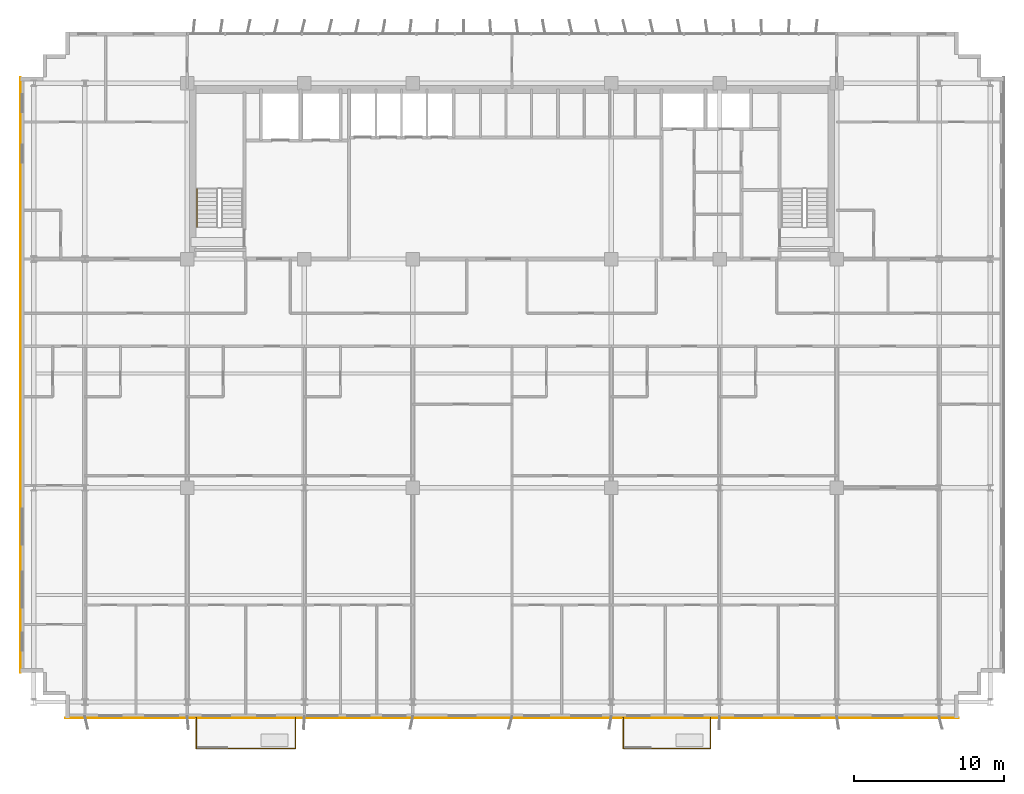
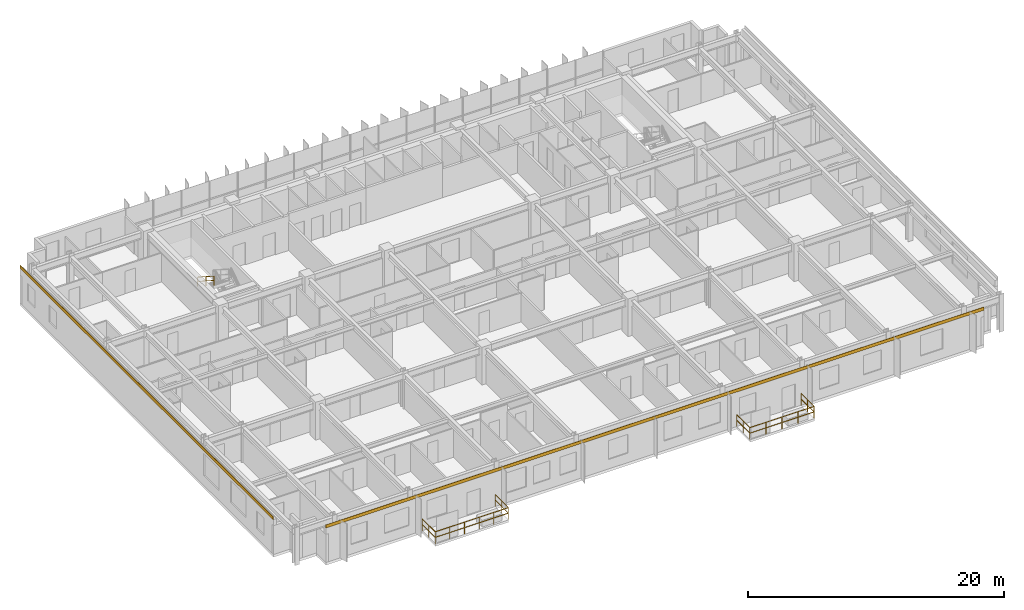
# One storey, part 22 of 24: 7 railings, 2 coverings.
"""IFC4 building model written with IfcOpenShell, lengths in metres."""

import ifcopenshell
import ifcopenshell.guid

model = None  # the IFC model being written
_history = None  # IfcOwnerHistory: only IFC2X3 demands one
_inside = {}  # id of a spatial element -> (the spatial element, [elements in it])
_under = {}  # id of a project, library or spatial element -> (it, [spatial elements below it])
_declared = {}  # id of a project -> (the project, [libraries it declares])
_typed = {}  # id of a type object -> (the type object, [elements of that type])
_made_of = {}  # id of a material, layer set ... -> (it, [elements and type objects made of it])


def new_model(schema):
    """Start an empty IFC model of exactly this schema.

    Asked for "IFC4X3", IfcOpenShell would pick the latest addendum, in which some entities
    have other attributes; the version numbers below select the first issue.
    IFC2X3 requires an IfcOwnerHistory on every rooted entity: one is made here for all.
    """
    global model, _history
    if schema == "IFC4X3":
        model = ifcopenshell.file(schema_version=(4, 3, 0, 0))
    else:
        model = ifcopenshell.file(schema=schema)
    _inside.clear()
    _under.clear()
    _declared.clear()
    _typed.clear()
    _made_of.clear()
    _history = None
    if model.schema == "IFC2X3":
        org = make("IfcOrganization", Name="unknown")
        user = make(
            "IfcPersonAndOrganization",
            ThePerson=make("IfcPerson", FamilyName="unknown"),
            TheOrganization=org,
        )
        app = make(
            "IfcApplication",
            ApplicationDeveloper=org,
            Version="unknown",
            ApplicationFullName="unknown",
            ApplicationIdentifier="unknown",
        )
        _history = make(
            "IfcOwnerHistory",
            OwningUser=user,
            OwningApplication=app,
            ChangeAction="ADDED",
            CreationDate=0,
        )
    return model


def make(cls, **values):
    """One entity of the class cls with the attributes given. An attribute that is None is left unset."""
    return model.create_entity(
        cls, **{name: value for name, value in values.items() if value is not None}
    )


def rooted(cls, **values):
    """An entity with a GlobalId (a new one), such as an element, a storey or a relation."""
    return make(cls, GlobalId=ifcopenshell.guid.new(), OwnerHistory=_history, **values)


def si_unit(unit_type, name, prefix=None):
    """IfcSIUnit, for example si_unit("LENGTHUNIT", "METRE", prefix="MILLI")."""
    return make("IfcSIUnit", UnitType=unit_type, Prefix=prefix, Name=name)


def assignment(units):
    """IfcUnitAssignment: the units of a project."""
    return None if units is None else make("IfcUnitAssignment", Units=units)


def point(xyz):
    """IfcCartesianPoint."""
    return None if xyz is None else make("IfcCartesianPoint", Coordinates=xyz)


def direction(xyz):
    """IfcDirection."""
    return None if xyz is None else make("IfcDirection", DirectionRatios=xyz)


def frame(location, z_axis=None, x_axis=None):
    """IfcAxis2Placement3D, a coordinate frame: its origin and axes. An axis left out is left unset."""
    return make(
        "IfcAxis2Placement3D",
        Location=point(location),
        Axis=direction(z_axis),
        RefDirection=direction(x_axis),
    )


def frame_2d(location, x_axis=None):
    """IfcAxis2Placement2D, a coordinate frame in the plane: its origin and x axis."""
    return make(
        "IfcAxis2Placement2D", Location=point(location), RefDirection=direction(x_axis)
    )


def origin():
    """The frame at (0, 0, 0) with its axes left unset."""
    return frame((0.0, 0.0, 0.0))


def origin_2d():
    """The frame at (0, 0) in the plane with its x axis left unset."""
    return frame_2d((0.0, 0.0))


def place(relative_to, where):
    """IfcLocalPlacement: puts the frame where relative to a parent placement (None: the world)."""
    return make(
        "IfcLocalPlacement", PlacementRelTo=relative_to, RelativePlacement=where
    )


def context(
    kind, dimensions, precision=None, world=None, true_north=None, identifier=None
):
    """IfcGeometricRepresentationContext, for example the 3D "Model" context."""
    return make(
        "IfcGeometricRepresentationContext",
        ContextIdentifier=identifier,
        ContextType=kind,
        CoordinateSpaceDimension=dimensions,
        Precision=precision,
        WorldCoordinateSystem=world,
        TrueNorth=true_north,
    )


def subcontext(parent, identifier, kind, view, scale=None):
    """IfcGeometricRepresentationSubContext, for example "Body" below "Model"."""
    return make(
        "IfcGeometricRepresentationSubContext",
        ContextIdentifier=identifier,
        ContextType=kind,
        ParentContext=parent,
        TargetScale=scale,
        TargetView=view,
    )


def project(units=None, contexts=None):
    """IfcProject with its units and contexts."""
    return rooted(
        "IfcProject",
        Name="project",
        RepresentationContexts=contexts,
        UnitsInContext=assignment(units),
    )


def spatial(cls, under=None, at=None, **own):
    """A site, building, storey or space (cls), placed at a placement, below another one or the project."""
    s = rooted(cls, ObjectPlacement=at, **own)
    if under is not None:
        _under.setdefault(under.id(), (under, []))[1].append(s)
    return s


def profile(cls, at=None, kind="AREA", **sizes):
    """A parametric profile (cls). Its sizes go by their IFC names, for example OverallWidth=200.0."""
    return make(cls, ProfileType=kind, Position=at, **sizes)


def rectangle(**sizes):
    """IfcRectangleProfileDef."""
    return profile("IfcRectangleProfileDef", **sizes)


def extrude(swept, where, along, depth):
    """IfcExtrudedAreaSolid: the profile swept, set in the frame where, extruded along a direction by depth."""
    return make(
        "IfcExtrudedAreaSolid",
        SweptArea=swept,
        Position=where,
        ExtrudedDirection=direction(along),
        Depth=depth,
    )


def shape(context_of_items, identifier, shape_type, items):
    """IfcShapeRepresentation: the items that make up one representation, for example the "Body"."""
    return make(
        "IfcShapeRepresentation",
        ContextOfItems=context_of_items,
        RepresentationIdentifier=identifier,
        RepresentationType=shape_type,
        Items=items,
    )


def source(mapping_origin, context_of_items, identifier, shape_type, items):
    """IfcRepresentationMap: a shape defined once, which mapped items show again and again."""
    return make(
        "IfcRepresentationMap",
        MappingOrigin=mapping_origin,
        MappedRepresentation=shape(context_of_items, identifier, shape_type, items),
    )


def transform(
    local_origin,
    x_axis=None,
    y_axis=None,
    z_axis=None,
    scale=None,
    scale2=None,
    scale3=None,
    uniform=True,
):
    """IfcCartesianTransformationOperator3D, or its non-uniform kind. x_axis, y_axis, z_axis: its Axis1, 2, 3."""
    if uniform:
        return make(
            "IfcCartesianTransformationOperator3D",
            Axis1=direction(x_axis),
            Axis2=direction(y_axis),
            LocalOrigin=point(local_origin),
            Scale=scale,
            Axis3=direction(z_axis),
        )
    return make(
        "IfcCartesianTransformationOperator3DnonUniform",
        Axis1=direction(x_axis),
        Axis2=direction(y_axis),
        LocalOrigin=point(local_origin),
        Scale=scale,
        Axis3=direction(z_axis),
        Scale2=scale2,
        Scale3=scale3,
    )


def mapped(mapping_source, mapping_target):
    """IfcMappedItem: shows the shape of a source again, moved by a transform."""
    return make(
        "IfcMappedItem", MappingSource=mapping_source, MappingTarget=mapping_target
    )


def material(Name=None, Category=None):
    """IfcMaterial."""
    return make("IfcMaterial", Name=Name, Category=Category)


def layer(
    of_material, thickness, ventilated=None, Name=None, Category=None, Priority=None
):
    """IfcMaterialLayer: one layer of a wall or slab, of a material (None: an air gap)."""
    return make(
        "IfcMaterialLayer",
        Material=of_material,
        LayerThickness=thickness,
        IsVentilated=ventilated,
        Name=Name,
        Category=Category,
        Priority=Priority,
    )


def layer_set(layers, Name=None):
    """IfcMaterialLayerSet."""
    return make("IfcMaterialLayerSet", MaterialLayers=layers, LayerSetName=Name)


def made_of(thing, what):
    """Note that an element or type object is made of a material, layer set ...; save() writes the relation."""
    if what is not None:
        _made_of.setdefault(what.id(), (what, []))[1].append(thing)
    return thing


def type_object(cls, material=None, **own):
    """A type object (cls), such as IfcWallType, which elements share."""
    return made_of(rooted(cls, **own), material)


def element(
    cls,
    number,
    at=None,
    inside=None,
    cuts=None,
    type_object=None,
    material=None,
    context=None,
    identifier="Body",
    shape_type=None,
    held_by="IfcProductDefinitionShape",
    body=None,
    shapes=None,
    **own,
):
    """One element of the class cls, such as IfcWall. Its Tag is "e" and its number.

    at: its placement. inside: the storey or other place that contains it. cuts: it is an
    opening in that element (IfcRelVoidsElement). A single representation is given by context,
    identifier, shape_type and body (its items); several are given by shapes. held_by: the class
    of the entity that holds the representations. save() writes the other relations.
    """
    e = rooted(cls, Tag="e%d" % number, ObjectPlacement=at, **own)
    if body is not None:
        shapes = [shape(context, identifier, shape_type, body)]
    if shapes is not None:
        e.Representation = make(held_by, Representations=shapes)
    if inside is not None:
        _inside.setdefault(inside.id(), (inside, []))[1].append(e)
    if cuts is not None:
        rooted(
            "IfcRelVoidsElement", RelatingBuildingElement=cuts, RelatedOpeningElement=e
        )
    if type_object is not None:
        _typed.setdefault(type_object.id(), (type_object, []))[1].append(e)
    return made_of(e, material)


def aggregate(whole, parts):
    """IfcRelAggregates: a whole, such as a stair, and the parts it consists of."""
    return rooted("IfcRelAggregates", RelatingObject=whole, RelatedObjects=parts)


def save(model, path):
    """Write the relations noted so far, then the file.

    IfcRelAggregates (storeys below a building ...), IfcRelContainedInSpatialStructure (elements
    in a storey), IfcRelDefinesByType, IfcRelAssociatesMaterial and IfcRelDeclares: one each for
    every whole, place, type object, material and project.
    """
    for whole, parts in _under.values():
        aggregate(whole, parts)
    for where, things in _inside.values():
        rooted(
            "IfcRelContainedInSpatialStructure",
            RelatedElements=things,
            RelatingStructure=where,
        )
    for kind, things in _typed.values():
        rooted("IfcRelDefinesByType", RelatedObjects=things, RelatingType=kind)
    for what, things in _made_of.values():
        rooted("IfcRelAssociatesMaterial", RelatedObjects=things, RelatingMaterial=what)
    for by, libraries in _declared.values():
        rooted("IfcRelDeclares", RelatingContext=by, RelatedDefinitions=libraries)
    model.write(path)


model = new_model("IFC4")

# Units and contexts
model_context = context("Model", 3, precision=1e-05, world=origin(), true_north=direction((0.0, 1.0)))
body_context = subcontext(model_context, "Body", "Model", "MODEL_VIEW")
ifc_project = project(units=[si_unit("LENGTHUNIT", "METRE"), si_unit("AREAUNIT", "SQUARE_METRE"), si_unit("VOLUMEUNIT", "CUBIC_METRE"), si_unit("PLANEANGLEUNIT", "RADIAN"), si_unit("MASSUNIT", "GRAM", prefix="KILO")], contexts=[model_context])

# Site, building, storey
site_placement = place(None, origin())
site = spatial("IfcSite", under=ifc_project, at=site_placement, CompositionType="ELEMENT")
building_placement = place(site_placement, origin())
building = spatial("IfcBuilding", under=site, at=building_placement, Name="Trelvane Seafront Commons", CompositionType="ELEMENT")
storey_placement = place(building_placement, frame((0.0, 0.0, 30.699951171875)))
storey = spatial("IfcBuildingStorey", under=building, at=storey_placement, Name="L07", CompositionType="ELEMENT", Elevation=30.699951171875)

# Railings
ifc_material_1 = material(Name="Stainless steel balustrade", Category="steel")
railing_type_1 = type_object("IfcRailingType", Name="ARCH-RAIL-BAL1150", PredefinedType="BALUSTRADE", material=ifc_material_1)
railing_1_placement = place(storey_placement, frame((16.199951171875, 2.89990234375, 0.0)))
element("IfcRailing", 1, at=railing_1_placement, inside=storey, type_object=railing_type_1, Name="RL-L07-BAL0-01", PredefinedType="BALUSTRADE", context=body_context, shape_type="SweptSolid", body=[
    extrude(rectangle(XDim=0.048095703125, YDim=0.048095703125, at=origin_2d()), frame((0.0, 0.0, 1.1259765625), z_axis=(0.0, -1.0, 0.0), x_axis=(1.0, 0.0, 0.0)), (0.0, 0.0, 1.0), 2.039794921875),
    extrude(rectangle(XDim=0.048095703125, YDim=0.048095703125, at=origin_2d()), frame((0.0, 0.0, 0.597900390625), z_axis=(0.0, -1.0, 0.0), x_axis=(1.0, 0.0, 0.0)), (0.0, 0.0, 1.0), 2.039794921875),
    extrude(rectangle(XDim=0.0419921875, YDim=0.0419921875, at=origin_2d()), origin(), (0.0, 0.0, 1.0), 1.1259765625),
    extrude(rectangle(XDim=0.0419921875, YDim=0.0419921875, at=origin_2d()), frame((0.0, -1.02001953125, 0.0)), (0.0, 0.0, 1.0), 1.1259765625),
    extrude(rectangle(XDim=0.0419921875, YDim=0.0419921875, at=origin_2d()), frame((0.0, -2.039794921875, 0.0)), (0.0, 0.0, 1.0), 1.1259765625),
])
railing_2_placement = place(storey_placement, frame((16.199951171875, 0.860107421875, 0.0)))
element("IfcRailing", 2, at=railing_2_placement, inside=storey, type_object=railing_type_1, Name="RL-L07-BAL0-02", PredefinedType="BALUSTRADE", context=body_context, shape_type="SweptSolid", body=[
    extrude(rectangle(XDim=0.048095703125, YDim=0.048095703125, at=origin_2d()), frame((0.0, 0.0, 1.1259765625), z_axis=(1.0, 0.0, 0.0), x_axis=(0.0, 1.0, 0.0)), (0.0, 0.0, 1.0), 6.60009765625),
    extrude(rectangle(XDim=0.048095703125, YDim=0.048095703125, at=origin_2d()), frame((0.0, 0.0, 0.597900390625), z_axis=(1.0, 0.0, 0.0), x_axis=(0.0, 1.0, 0.0)), (0.0, 0.0, 1.0), 6.60009765625),
    extrude(rectangle(XDim=0.0419921875, YDim=0.0419921875, at=origin_2d()), origin(), (0.0, 0.0, 1.0), 1.1259765625),
    extrude(rectangle(XDim=0.0419921875, YDim=0.0419921875, at=origin_2d()), frame((1.320068359375, 0.0, 0.0)), (0.0, 0.0, 1.0), 1.1259765625),
    extrude(rectangle(XDim=0.0419921875, YDim=0.0419921875, at=origin_2d()), frame((2.64013671875, 0.0, 0.0)), (0.0, 0.0, 1.0), 1.1259765625),
    extrude(rectangle(XDim=0.0419921875, YDim=0.0419921875, at=origin_2d()), frame((3.9599609375, 0.0, 0.0)), (0.0, 0.0, 1.0), 1.1259765625),
    extrude(rectangle(XDim=0.0419921875, YDim=0.0419921875, at=origin_2d()), frame((5.280029296875, 0.0, 0.0)), (0.0, 0.0, 1.0), 1.1259765625),
    extrude(rectangle(XDim=0.0419921875, YDim=0.0419921875, at=origin_2d()), frame((6.60009765625, 0.0, 0.0)), (0.0, 0.0, 1.0), 1.1259765625),
])
railing_3_placement = place(storey_placement, frame((22.800048828125, 0.860107421875, 0.0)))
element("IfcRailing", 3, at=railing_3_placement, inside=storey, type_object=railing_type_1, Name="RL-L07-BAL0-03", PredefinedType="BALUSTRADE", context=body_context, shape_type="SweptSolid", body=[
    extrude(rectangle(XDim=0.048095703125, YDim=0.048095703125, at=origin_2d()), frame((0.0, 0.0, 1.1259765625), z_axis=(0.0, 1.0, 0.0), x_axis=(-1.0, 0.0, 0.0)), (0.0, 0.0, 1.0), 2.039794921875),
    extrude(rectangle(XDim=0.048095703125, YDim=0.048095703125, at=origin_2d()), frame((0.0, 0.0, 0.597900390625), z_axis=(0.0, 1.0, 0.0), x_axis=(-1.0, 0.0, 0.0)), (0.0, 0.0, 1.0), 2.039794921875),
    extrude(rectangle(XDim=0.0419921875, YDim=0.0419921875, at=origin_2d()), origin(), (0.0, 0.0, 1.0), 1.1259765625),
    extrude(rectangle(XDim=0.0419921875, YDim=0.0419921875, at=origin_2d()), frame((0.0, 1.02001953125, 0.0)), (0.0, 0.0, 1.0), 1.1259765625),
    extrude(rectangle(XDim=0.0419921875, YDim=0.0419921875, at=origin_2d()), frame((0.0, 2.039794921875, 0.0)), (0.0, 0.0, 1.0), 1.1259765625),
])
railing_4_placement = place(storey_placement, frame((44.60009765625, 2.89990234375, 0.0)))
element("IfcRailing", 4, at=railing_4_placement, inside=storey, type_object=railing_type_1, Name="RL-L07-BAL1-01", PredefinedType="BALUSTRADE", context=body_context, shape_type="SweptSolid", body=[
    extrude(rectangle(XDim=0.048095703125, YDim=0.048095703125, at=origin_2d()), frame((0.0, 0.0, 1.1259765625), z_axis=(0.0, -1.0, 0.0), x_axis=(1.0, 0.0, 0.0)), (0.0, 0.0, 1.0), 2.039794921875),
    extrude(rectangle(XDim=0.048095703125, YDim=0.048095703125, at=origin_2d()), frame((0.0, 0.0, 0.597900390625), z_axis=(0.0, -1.0, 0.0), x_axis=(1.0, 0.0, 0.0)), (0.0, 0.0, 1.0), 2.039794921875),
    extrude(rectangle(XDim=0.0419921875, YDim=0.0419921875, at=origin_2d()), origin(), (0.0, 0.0, 1.0), 1.1259765625),
    extrude(rectangle(XDim=0.0419921875, YDim=0.0419921875, at=origin_2d()), frame((0.0, -1.02001953125, 0.0)), (0.0, 0.0, 1.0), 1.1259765625),
    extrude(rectangle(XDim=0.0419921875, YDim=0.0419921875, at=origin_2d()), frame((0.0, -2.039794921875, 0.0)), (0.0, 0.0, 1.0), 1.1259765625),
])
railing_5_placement = place(storey_placement, frame((44.60009765625, 0.860107421875, 0.0)))
element("IfcRailing", 5, at=railing_5_placement, inside=storey, type_object=railing_type_1, Name="RL-L07-BAL1-02", PredefinedType="BALUSTRADE", context=body_context, shape_type="SweptSolid", body=[
    extrude(rectangle(XDim=0.048095703125, YDim=0.048095703125, at=origin_2d()), frame((0.0, 0.0, 1.1259765625), z_axis=(1.0, 0.0, 0.0), x_axis=(0.0, 1.0, 0.0)), (0.0, 0.0, 1.0), 5.7998046875),
    extrude(rectangle(XDim=0.048095703125, YDim=0.048095703125, at=origin_2d()), frame((0.0, 0.0, 0.597900390625), z_axis=(1.0, 0.0, 0.0), x_axis=(0.0, 1.0, 0.0)), (0.0, 0.0, 1.0), 5.7998046875),
    extrude(rectangle(XDim=0.0419921875, YDim=0.0419921875, at=origin_2d()), origin(), (0.0, 0.0, 1.0), 1.1259765625),
    extrude(rectangle(XDim=0.0419921875, YDim=0.0419921875, at=origin_2d()), frame((1.449951171875, 0.0, 0.0)), (0.0, 0.0, 1.0), 1.1259765625),
    extrude(rectangle(XDim=0.0419921875, YDim=0.0419921875, at=origin_2d()), frame((2.89990234375, 0.0, 0.0)), (0.0, 0.0, 1.0), 1.1259765625),
    extrude(rectangle(XDim=0.0419921875, YDim=0.0419921875, at=origin_2d()), frame((4.349853515625, 0.0, 0.0)), (0.0, 0.0, 1.0), 1.1259765625),
    extrude(rectangle(XDim=0.0419921875, YDim=0.0419921875, at=origin_2d()), frame((5.7998046875, 0.0, 0.0)), (0.0, 0.0, 1.0), 1.1259765625),
])
railing_6_placement = place(storey_placement, frame((50.39990234375, 0.860107421875, 0.0)))
element("IfcRailing", 6, at=railing_6_placement, inside=storey, type_object=railing_type_1, Name="RL-L07-BAL1-03", PredefinedType="BALUSTRADE", context=body_context, shape_type="SweptSolid", body=[
    extrude(rectangle(XDim=0.048095703125, YDim=0.048095703125, at=origin_2d()), frame((0.0, 0.0, 1.1259765625), z_axis=(0.0, 1.0, 0.0), x_axis=(-1.0, 0.0, 0.0)), (0.0, 0.0, 1.0), 2.039794921875),
    extrude(rectangle(XDim=0.048095703125, YDim=0.048095703125, at=origin_2d()), frame((0.0, 0.0, 0.597900390625), z_axis=(0.0, 1.0, 0.0), x_axis=(-1.0, 0.0, 0.0)), (0.0, 0.0, 1.0), 2.039794921875),
    extrude(rectangle(XDim=0.0419921875, YDim=0.0419921875, at=origin_2d()), origin(), (0.0, 0.0, 1.0), 1.1259765625),
    extrude(rectangle(XDim=0.0419921875, YDim=0.0419921875, at=origin_2d()), frame((0.0, 1.02001953125, 0.0)), (0.0, 0.0, 1.0), 1.1259765625),
    extrude(rectangle(XDim=0.0419921875, YDim=0.0419921875, at=origin_2d()), frame((0.0, 2.039794921875, 0.0)), (0.0, 0.0, 1.0), 1.1259765625),
])
railing_type_2 = type_object("IfcRailingType", Name="ARCH-SRL-HAND", PredefinedType="HANDRAIL", material=ifc_material_1)
railing_7_placement = place(storey_placement, frame((16.25, 38.070068359375, 1.97998046875)))
element("IfcRailing", 7, at=railing_7_placement, inside=storey, type_object=railing_type_2, Name="L07 ST-1 stair handrail 2", PredefinedType="HANDRAIL", context=body_context, shape_type="SweptSolid", body=[
    extrude(rectangle(XDim=0.048095703125, YDim=0.048095703125, at=origin_2d()), frame((0.0, 0.0, 0.8759765625), z_axis=(0.0, -0.841162588446, 0.540782303519), x_axis=(1.0, 0.0, 0.0)), (0.0, 0.0, 1.0), 2.995849609375),
    extrude(rectangle(XDim=0.048095703125, YDim=0.048095703125, at=origin_2d()), frame((0.0, 0.0, 0.468017578125), z_axis=(0.0, -0.841162588446, 0.540782303519), x_axis=(1.0, 0.0, 0.0)), (0.0, 0.0, 1.0), 2.995849609375),
    extrude(rectangle(XDim=0.0419921875, YDim=0.0419921875, at=origin_2d()), origin(), (0.0, 0.0, 1.0), 0.8759765625),
    extrude(rectangle(XDim=0.0419921875, YDim=0.0419921875, at=origin_2d()), frame((0.0, -1.260009765625, 0.81005859375)), (0.0, 0.0, 1.0), 0.8759765625),
    extrude(rectangle(XDim=0.0419921875, YDim=0.0419921875, at=origin_2d()), frame((0.0, -2.52001953125, 1.6201171875)), (0.0, 0.0, 1.0), 0.8759765625),
])

# Coverings
ifc_material_2 = material(Name="Anodised pale-silver aluminium", Category="aluminium")
ifc_layer = layer(ifc_material_2, 0.034912109375, Name="ARCH-COV-CLAD35")
ifc_layer_set = layer_set([ifc_layer], Name="Anodised pale-silver aluminium")
covering_type = type_object("IfcCoveringType", Name="ARCH-COV-CLAD35", PredefinedType="CLADDING", material=ifc_layer_set)
shared_shape_1 = source(origin(), body_context, "Body", "SweptSolid", [
    extrude(rectangle(XDim=39.60009765625, YDim=0.034912109375, at=origin_2d()), origin(), (0.0, 0.0, 1.0), 0.300048828125),
])
covering_1_placement = place(storey_placement, frame((4.5, 25.699951171875, 3.2998046875), z_axis=(0.0, 0.0, 1.0), x_axis=(0.0, 1.0, 0.0)))
element("IfcCovering", 8, at=covering_1_placement, inside=storey, type_object=covering_type, Name="CLD-L07-00045", PredefinedType="CLADDING", context=body_context, shape_type="MappedRepresentation", body=[
    mapped(shared_shape_1, transform((0.0, 0.0, 0.0), x_axis=(1.0, 0.0, 0.0), y_axis=(0.0, 1.0, 0.0), z_axis=(0.0, 0.0, 1.0), scale=1.0)),
])
shared_shape_2 = source(origin(), body_context, "Body", "SweptSolid", [
    extrude(rectangle(XDim=59.39990234375, YDim=0.034912109375, at=origin_2d()), origin(), (0.0, 0.0, 1.0), 0.300048828125),
])
covering_2_placement = place(storey_placement, frame((37.199951171875, 2.89990234375, 3.2998046875), z_axis=(0.0, 0.0, 1.0), x_axis=(-1.0, 0.0, 0.0)))
element("IfcCovering", 9, at=covering_2_placement, inside=storey, type_object=covering_type, Name="CLD-L07-00047", PredefinedType="CLADDING", context=body_context, shape_type="MappedRepresentation", body=[
    mapped(shared_shape_2, transform((0.0, 0.0, 0.0), x_axis=(1.0, 0.0, 0.0), y_axis=(0.0, 1.0, 0.0), z_axis=(0.0, 0.0, 1.0), scale=1.0)),
])

save(model, "model.ifc")
